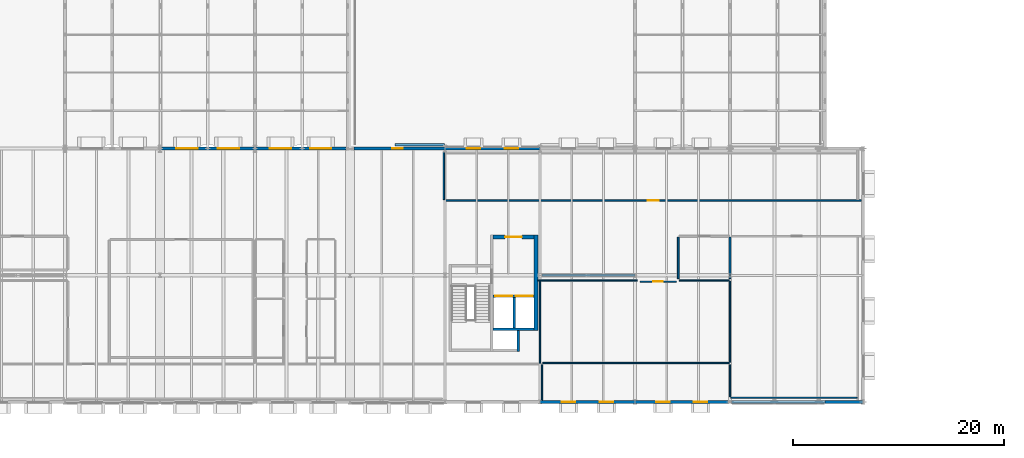
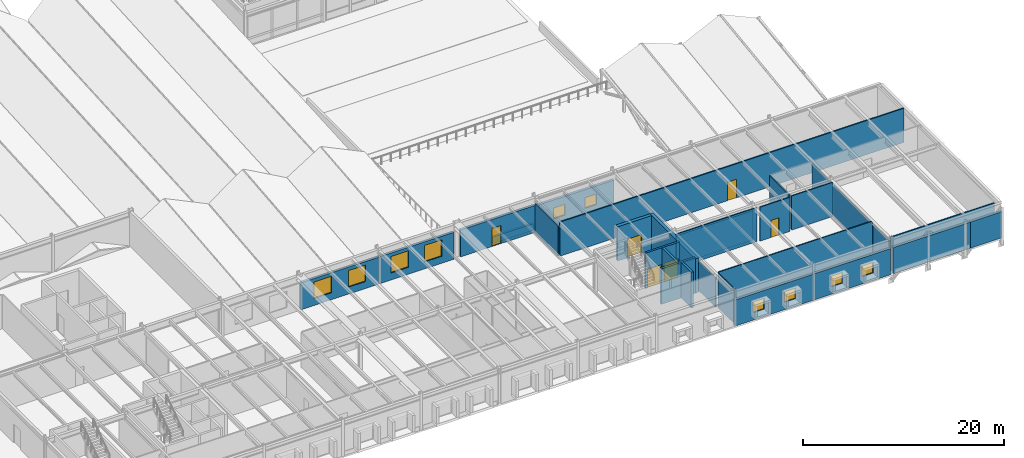
# One storey, part 133 of 142: 29 walls, 10 windows, 6 doors, 16 openings.
"""IFC4 building model written with IfcOpenShell, lengths in metres."""

import ifcopenshell
import ifcopenshell.guid

model = None  # the IFC model being written
_history = None  # IfcOwnerHistory: only IFC2X3 demands one
_inside = {}  # id of a spatial element -> (the spatial element, [elements in it])
_under = {}  # id of a project, library or spatial element -> (it, [spatial elements below it])
_declared = {}  # id of a project -> (the project, [libraries it declares])
_typed = {}  # id of a type object -> (the type object, [elements of that type])
_made_of = {}  # id of a material, layer set ... -> (it, [elements and type objects made of it])


def new_model(schema):
    """Start an empty IFC model of exactly this schema.

    Asked for "IFC4X3", IfcOpenShell would pick the latest addendum, in which some entities
    have other attributes; the version numbers below select the first issue.
    IFC2X3 requires an IfcOwnerHistory on every rooted entity: one is made here for all.
    """
    global model, _history
    if schema == "IFC4X3":
        model = ifcopenshell.file(schema_version=(4, 3, 0, 0))
    else:
        model = ifcopenshell.file(schema=schema)
    _inside.clear()
    _under.clear()
    _declared.clear()
    _typed.clear()
    _made_of.clear()
    _history = None
    if model.schema == "IFC2X3":
        org = make("IfcOrganization", Name="unknown")
        user = make(
            "IfcPersonAndOrganization",
            ThePerson=make("IfcPerson", FamilyName="unknown"),
            TheOrganization=org,
        )
        app = make(
            "IfcApplication",
            ApplicationDeveloper=org,
            Version="unknown",
            ApplicationFullName="unknown",
            ApplicationIdentifier="unknown",
        )
        _history = make(
            "IfcOwnerHistory",
            OwningUser=user,
            OwningApplication=app,
            ChangeAction="ADDED",
            CreationDate=0,
        )
    return model


def make(cls, **values):
    """One entity of the class cls with the attributes given. An attribute that is None is left unset."""
    return model.create_entity(
        cls, **{name: value for name, value in values.items() if value is not None}
    )


def rooted(cls, **values):
    """An entity with a GlobalId (a new one), such as an element, a storey or a relation."""
    return make(cls, GlobalId=ifcopenshell.guid.new(), OwnerHistory=_history, **values)


def si_unit(unit_type, name, prefix=None):
    """IfcSIUnit, for example si_unit("LENGTHUNIT", "METRE", prefix="MILLI")."""
    return make("IfcSIUnit", UnitType=unit_type, Prefix=prefix, Name=name)


def assignment(units):
    """IfcUnitAssignment: the units of a project."""
    return None if units is None else make("IfcUnitAssignment", Units=units)


def point(xyz):
    """IfcCartesianPoint."""
    return None if xyz is None else make("IfcCartesianPoint", Coordinates=xyz)


def direction(xyz):
    """IfcDirection."""
    return None if xyz is None else make("IfcDirection", DirectionRatios=xyz)


def frame(location, z_axis=None, x_axis=None):
    """IfcAxis2Placement3D, a coordinate frame: its origin and axes. An axis left out is left unset."""
    return make(
        "IfcAxis2Placement3D",
        Location=point(location),
        Axis=direction(z_axis),
        RefDirection=direction(x_axis),
    )


def frame_2d(location, x_axis=None):
    """IfcAxis2Placement2D, a coordinate frame in the plane: its origin and x axis."""
    return make(
        "IfcAxis2Placement2D", Location=point(location), RefDirection=direction(x_axis)
    )


def origin():
    """The frame at (0, 0, 0) with its axes left unset."""
    return frame((0.0, 0.0, 0.0))


def place(relative_to, where):
    """IfcLocalPlacement: puts the frame where relative to a parent placement (None: the world)."""
    return make(
        "IfcLocalPlacement", PlacementRelTo=relative_to, RelativePlacement=where
    )


def context(
    kind, dimensions, precision=None, world=None, true_north=None, identifier=None
):
    """IfcGeometricRepresentationContext, for example the 3D "Model" context."""
    return make(
        "IfcGeometricRepresentationContext",
        ContextIdentifier=identifier,
        ContextType=kind,
        CoordinateSpaceDimension=dimensions,
        Precision=precision,
        WorldCoordinateSystem=world,
        TrueNorth=true_north,
    )


def subcontext(parent, identifier, kind, view, scale=None):
    """IfcGeometricRepresentationSubContext, for example "Body" below "Model"."""
    return make(
        "IfcGeometricRepresentationSubContext",
        ContextIdentifier=identifier,
        ContextType=kind,
        ParentContext=parent,
        TargetScale=scale,
        TargetView=view,
    )


def project(units=None, contexts=None):
    """IfcProject with its units and contexts."""
    return rooted(
        "IfcProject",
        Name="project",
        RepresentationContexts=contexts,
        UnitsInContext=assignment(units),
    )


def spatial(cls, under=None, at=None, **own):
    """A site, building, storey or space (cls), placed at a placement, below another one or the project."""
    s = rooted(cls, ObjectPlacement=at, **own)
    if under is not None:
        _under.setdefault(under.id(), (under, []))[1].append(s)
    return s


def profile(cls, at=None, kind="AREA", **sizes):
    """A parametric profile (cls). Its sizes go by their IFC names, for example OverallWidth=200.0."""
    return make(cls, ProfileType=kind, Position=at, **sizes)


def rectangle(**sizes):
    """IfcRectangleProfileDef."""
    return profile("IfcRectangleProfileDef", **sizes)


def extrude(swept, where, along, depth):
    """IfcExtrudedAreaSolid: the profile swept, set in the frame where, extruded along a direction by depth."""
    return make(
        "IfcExtrudedAreaSolid",
        SweptArea=swept,
        Position=where,
        ExtrudedDirection=direction(along),
        Depth=depth,
    )


def shape(context_of_items, identifier, shape_type, items):
    """IfcShapeRepresentation: the items that make up one representation, for example the "Body"."""
    return make(
        "IfcShapeRepresentation",
        ContextOfItems=context_of_items,
        RepresentationIdentifier=identifier,
        RepresentationType=shape_type,
        Items=items,
    )


def material(Name=None, Category=None):
    """IfcMaterial."""
    return make("IfcMaterial", Name=Name, Category=Category)


def layer(
    of_material, thickness, ventilated=None, Name=None, Category=None, Priority=None
):
    """IfcMaterialLayer: one layer of a wall or slab, of a material (None: an air gap)."""
    return make(
        "IfcMaterialLayer",
        Material=of_material,
        LayerThickness=thickness,
        IsVentilated=ventilated,
        Name=Name,
        Category=Category,
        Priority=Priority,
    )


def layer_set(layers, Name=None):
    """IfcMaterialLayerSet."""
    return make("IfcMaterialLayerSet", MaterialLayers=layers, LayerSetName=Name)


def made_of(thing, what):
    """Note that an element or type object is made of a material, layer set ...; save() writes the relation."""
    if what is not None:
        _made_of.setdefault(what.id(), (what, []))[1].append(thing)
    return thing


def type_object(cls, material=None, **own):
    """A type object (cls), such as IfcWallType, which elements share."""
    return made_of(rooted(cls, **own), material)


def element(
    cls,
    number,
    at=None,
    inside=None,
    cuts=None,
    type_object=None,
    material=None,
    context=None,
    identifier="Body",
    shape_type=None,
    held_by="IfcProductDefinitionShape",
    body=None,
    shapes=None,
    **own,
):
    """One element of the class cls, such as IfcWall. Its Tag is "e" and its number.

    at: its placement. inside: the storey or other place that contains it. cuts: it is an
    opening in that element (IfcRelVoidsElement). A single representation is given by context,
    identifier, shape_type and body (its items); several are given by shapes. held_by: the class
    of the entity that holds the representations. save() writes the other relations.
    """
    e = rooted(cls, Tag="e%d" % number, ObjectPlacement=at, **own)
    if body is not None:
        shapes = [shape(context, identifier, shape_type, body)]
    if shapes is not None:
        e.Representation = make(held_by, Representations=shapes)
    if inside is not None:
        _inside.setdefault(inside.id(), (inside, []))[1].append(e)
    if cuts is not None:
        rooted(
            "IfcRelVoidsElement", RelatingBuildingElement=cuts, RelatedOpeningElement=e
        )
    if type_object is not None:
        _typed.setdefault(type_object.id(), (type_object, []))[1].append(e)
    return made_of(e, material)


def fill(opening, filler):
    """IfcRelFillsElement: the door or window that sits in an opening."""
    return rooted(
        "IfcRelFillsElement",
        RelatingOpeningElement=opening,
        RelatedBuildingElement=filler,
    )


def aggregate(whole, parts):
    """IfcRelAggregates: a whole, such as a stair, and the parts it consists of."""
    return rooted("IfcRelAggregates", RelatingObject=whole, RelatedObjects=parts)


def save(model, path):
    """Write the relations noted so far, then the file.

    IfcRelAggregates (storeys below a building ...), IfcRelContainedInSpatialStructure (elements
    in a storey), IfcRelDefinesByType, IfcRelAssociatesMaterial and IfcRelDeclares: one each for
    every whole, place, type object, material and project.
    """
    for whole, parts in _under.values():
        aggregate(whole, parts)
    for where, things in _inside.values():
        rooted(
            "IfcRelContainedInSpatialStructure",
            RelatedElements=things,
            RelatingStructure=where,
        )
    for kind, things in _typed.values():
        rooted("IfcRelDefinesByType", RelatedObjects=things, RelatingType=kind)
    for what, things in _made_of.values():
        rooted("IfcRelAssociatesMaterial", RelatedObjects=things, RelatingMaterial=what)
    for by, libraries in _declared.values():
        rooted("IfcRelDeclares", RelatingContext=by, RelatedDefinitions=libraries)
    model.write(path)


model = new_model("IFC4")

# Units and contexts
model_context = context("Model", 3, precision=1e-05, world=origin(), true_north=direction((0.0, 1.0)))
body_context = subcontext(model_context, "Body", "Model", "MODEL_VIEW")
ifc_project = project(units=[si_unit("LENGTHUNIT", "METRE"), si_unit("AREAUNIT", "SQUARE_METRE"), si_unit("VOLUMEUNIT", "CUBIC_METRE"), si_unit("PLANEANGLEUNIT", "RADIAN"), si_unit("MASSUNIT", "GRAM", prefix="KILO")], contexts=[model_context])

# Site, building, storey
site_placement = place(None, origin())
site = spatial("IfcSite", under=ifc_project, at=site_placement, CompositionType="ELEMENT")
building_placement = place(site_placement, origin())
building = spatial("IfcBuilding", under=site, at=building_placement, Name="Montelvaro Courts of Justice", CompositionType="ELEMENT")
storey_placement = place(building_placement, frame((0.0, 0.0, 14.39990234375)))
storey = spatial("IfcBuildingStorey", under=building, at=storey_placement, Name="L03", CompositionType="ELEMENT", Elevation=14.39990234375)

# Wall, opening, door
ifc_material_1 = material(Name="Gypsum board on metal stud")
ifc_layer_1 = layer(ifc_material_1, 0.14990234375)
ifc_layer_set_1 = layer_set([ifc_layer_1], Name="Gypsum board on metal stud")
wall_type_1 = type_object("IfcWallType", Name="ChambersPartition_150", PredefinedType="PARTITIONING", material=ifc_layer_set_1)
wall_1_placement = place(storey_placement, frame((147.455078125, 19.10009765625, 0.0), z_axis=(0.0, 0.0, 1.0), x_axis=(-1.0, 0.0, 0.0)))
wall_1 = element("IfcWall", 1, at=wall_1_placement, inside=storey, type_object=wall_type_1, Name="Interior Partition IW-04 (L03)", PredefinedType="PARTITIONING", context=body_context, shape_type="SweptSolid", body=[
    extrude(rectangle(XDim=39.47509765625, YDim=0.14990234375, at=frame_2d((19.737548828125, 0.0))), origin(), (0.0, 0.0, 1.0), 4.14013671875),
])
opening_1_placement = place(wall_1_placement, frame((19.212890625, 0.0, 0.0)))
opening_1 = element("IfcOpeningElement", 2, at=opening_1_placement, cuts=wall_1, Name="Opening D-L03-119", PredefinedType="OPENING", context=body_context, shape_type="SweptSolid", body=[
    extrude(rectangle(XDim=1.050048828125, YDim=2.25, at=frame_2d((0.52490234375, 1.125))), frame((0.0, 0.08984375, 0.0), z_axis=(0.0, -1.0, 0.0), x_axis=(1.0, 0.0, 0.0)), (0.0, 0.0, 1.0), 0.1796875),
])
ifc_material_2 = material(Name="Acoustic oak timber veneer", Category="wood")
door_type_1 = type_object("IfcDoorType", Name="ChamberDoor_105x225", OperationType="NOTDEFINED", PredefinedType="DOOR", material=ifc_material_2)
door_1_placement = place(opening_1_placement, frame((1.050048828125, 0.0, 0.0), z_axis=(0.0, 0.0, 1.0), x_axis=(-1.0, 0.0, 0.0)))
door_1 = element("IfcDoor", 3, at=door_1_placement, inside=storey, type_object=door_type_1, Name="Interior Door D-L03-119 (Administrative Magistrates' Chambers East L03)", OperationType="SINGLE_SWING_LEFT", OverallHeight=2.25, OverallWidth=1.050048828125, PredefinedType="DOOR", context=body_context, shape_type="SweptSolid", body=[
    extrude(rectangle(XDim=1.050048828125, YDim=2.25, at=frame_2d((0.52490234375, 1.125))), frame((0.0, 0.02490234375, 0.0), z_axis=(0.0, -1.0, 0.0), x_axis=(1.0, 0.0, 0.0)), (0.0, 0.0, 1.0), 0.050048828125),
])
fill(opening_1, door_1)

# Walls
wall_2_placement = place(storey_placement, frame((107.89990234375, 19.179931640625, 0.0), z_axis=(0.0, 0.0, 1.0), x_axis=(0.0, 1.0, 0.0)))
element("IfcWall", 4, at=wall_2_placement, inside=storey, type_object=wall_type_1, Name="Interior Partition IW-04 (L03)", PredefinedType="PARTITIONING", context=body_context, shape_type="SweptSolid", body=[
    extrude(rectangle(XDim=4.4970703125, YDim=0.14990234375, at=frame_2d((2.24853515625, 0.0))), origin(), (0.0, 0.0, 1.0), 3.625),
])
wall_3_placement = place(storey_placement, frame((130.10009765625, 11.679931640625, 0.0), z_axis=(0.0, 0.0, 1.0), x_axis=(0.0, 1.0, 0.0)))
element("IfcWall", 5, at=wall_3_placement, inside=storey, type_object=wall_type_1, Name="Interior Partition IW-04 (L03)", PredefinedType="PARTITIONING", context=body_context, shape_type="SweptSolid", body=[
    extrude(rectangle(XDim=3.940185546875, YDim=0.14990234375, at=frame_2d((1.97021484375, 0.0))), origin(), (0.0, 0.0, 1.0), 4.14013671875),
])
wall_4_placement = place(storey_placement, frame((135.0, 15.6201171875, 0.0), z_axis=(0.0, 0.0, 1.0), x_axis=(0.0, -1.0, 0.0)))
element("IfcWall", 6, at=wall_4_placement, inside=storey, type_object=wall_type_1, Name="Interior Partition IW-04 (L03)", PredefinedType="PARTITIONING", context=body_context, shape_type="SweptSolid", body=[
    extrude(rectangle(XDim=3.940185546875, YDim=0.14990234375, at=frame_2d((1.97021484375, 0.0))), origin(), (0.0, 0.0, 1.0), 3.78515625),
])

# Wall, opening, door
ifc_material_3 = material(Name="Concrete C40/50", Category="concrete")
ifc_layer_2 = layer(ifc_material_3, 0.360107421875)
ifc_layer_set_2 = layer_set([ifc_layer_2], Name="Concrete C40/50")
wall_type_2 = type_object("IfcWallType", Name="CoreWall_360", PredefinedType="SHEAR", material=ifc_layer_set_2)
wall_5_placement = place(storey_placement, frame((112.5400390625, 15.6201171875, 0.0), z_axis=(0.0, 0.0, 1.0), x_axis=(1.0, 0.0, 0.0)))
wall_5 = element("IfcWall", 7, at=wall_5_placement, inside=storey, type_object=wall_type_2, Name="Core Shear Wall CW-01 K2-N (L03)", PredefinedType="SHEAR", context=body_context, shape_type="SweptSolid", body=[
    extrude(rectangle(XDim=3.89990234375, YDim=0.360107421875, at=frame_2d((1.949951171875, 0.0))), origin(), (0.0, 0.0, 1.0), 4.16015625),
])
opening_2_placement = place(wall_5_placement, frame((1.14990234375, 0.0, 0.0)))
opening_2 = element("IfcOpeningElement", 8, at=opening_2_placement, cuts=wall_5, Name="Opening DL-L03-K2", PredefinedType="OPENING", context=body_context, shape_type="SweptSolid", body=[
    extrude(rectangle(XDim=1.60009765625, YDim=2.25, at=frame_2d((0.800048828125, 1.125))), frame((0.0, 0.19482421875, 0.0), z_axis=(0.0, -1.0, 0.0), x_axis=(1.0, 0.0, 0.0)), (0.0, 0.0, 1.0), 0.389892578125),
])
ifc_material_4 = material(Name="Galvanised steel S355 security door", Category="steel")
door_type_2 = type_object("IfcDoorType", Name="LobbyFireDoor_160x225", OperationType="DOUBLE_DOOR_SINGLE_SWING", PredefinedType="DOOR", material=ifc_material_4)
door_2_placement = place(opening_2_placement, origin())
door_2 = element("IfcDoor", 9, at=door_2_placement, inside=storey, type_object=door_type_2, Name="Core Lobby Fire Door DL-L03-K2", OperationType="DOUBLE_DOOR_SINGLE_SWING", OverallHeight=2.25, OverallWidth=1.60009765625, PredefinedType="DOOR", context=body_context, shape_type="SweptSolid", body=[
    extrude(rectangle(XDim=1.60009765625, YDim=2.25, at=frame_2d((0.800048828125, 1.125))), frame((0.0, 0.02490234375, 0.0), z_axis=(0.0, -1.0, 0.0), x_axis=(1.0, 0.0, 0.0)), (0.0, 0.0, 1.0), 0.050048828125),
])
fill(opening_2, door_2)

# Wall
wall_6_placement = place(storey_placement, frame((116.6201171875, 6.760009765625, 0.0), z_axis=(0.0, 0.0, 1.0), x_axis=(0.0, 1.0, 0.0)))
element("IfcWall", 10, at=wall_6_placement, inside=storey, type_object=wall_type_2, Name="Core Shear Wall CW-01 K2-E (L03)", PredefinedType="SHEAR", context=body_context, shape_type="SweptSolid", body=[
    extrude(rectangle(XDim=9.0400390625, YDim=0.360107421875, at=frame_2d((4.52001953125, 0.0))), origin(), (0.0, 0.0, 1.0), 4.16015625),
])

# Wall, openings, windows
ifc_material_5 = material(Name="White mineral precast concrete C45/55", Category="concrete")
ifc_layer_3 = layer(ifc_material_5, 0.300048828125)
ifc_layer_set_3 = layer_set([ifc_layer_3], Name="White mineral precast concrete C45/55")
wall_type_3 = type_object("IfcWallType", Name="ExtWall_GFRC_300", PredefinedType="SOLIDWALL", material=ifc_layer_set_3)
wall_7_placement = place(storey_placement, frame((98.626953125, 24.0, 0.0), z_axis=(0.0, 0.0, 1.0), x_axis=(-1.0, 0.0, 0.0)))
wall_7 = element("IfcWall", 11, at=wall_7_placement, inside=storey, type_object=wall_type_3, Name="Exterior Facade Wall EW-02 (L03)", PredefinedType="SOLIDWALL", context=body_context, shape_type="SweptSolid", body=[
    extrude(rectangle(XDim=8.618896484375, YDim=0.300048828125, at=frame_2d((4.3095703125, 0.0))), origin(), (0.0, 0.0, 1.0), 3.275146484375),
])
opening_3_placement = place(wall_7_placement, frame((1.4130859375, 0.0, 0.85009765625)))
opening_3 = element("IfcOpeningElement", 12, at=opening_3_placement, cuts=wall_7, Name="Opening WE-11", PredefinedType="OPENING", context=body_context, shape_type="SweptSolid", body=[
    extrude(rectangle(XDim=2.0, YDim=2.0, at=frame_2d((1.0, 1.0))), frame((0.0, 0.1650390625, 0.0), z_axis=(0.0, -1.0, 0.0), x_axis=(1.0, 0.0, 0.0)), (0.0, 0.0, 1.0), 0.329833984375),
])
opening_4_placement = place(wall_7_placement, frame((5.2060546875, 0.0, 0.85009765625)))
opening_4 = element("IfcOpeningElement", 13, at=opening_4_placement, cuts=wall_7, Name="Opening WE-11", PredefinedType="OPENING", context=body_context, shape_type="SweptSolid", body=[
    extrude(rectangle(XDim=2.0, YDim=2.0, at=frame_2d((1.0, 1.0))), frame((0.0, 0.1650390625, 0.0), z_axis=(0.0, -1.0, 0.0), x_axis=(1.0, 0.0, 0.0)), (0.0, 0.0, 1.0), 0.329833984375),
])
ifc_material_6 = material(Name="Low-E solar control double glazing", Category="glass")
window_type_1 = type_object("IfcWindowType", Name="Win_Sq_200x200", PartitioningType="SINGLE_PANEL", PredefinedType="WINDOW", material=ifc_material_6)
window_1_placement = place(opening_3_placement, origin())
window_1 = element("IfcWindow", 14, at=window_1_placement, inside=storey, type_object=window_type_1, Name="Window W-L03-165", OverallHeight=2.0, OverallWidth=2.0, PartitioningType="SINGLE_PANEL", PredefinedType="WINDOW", context=body_context, shape_type="SweptSolid", body=[
    extrude(rectangle(XDim=2.0, YDim=2.0, at=frame_2d((1.0, 1.0))), frame((0.0, 0.030029296875, 0.0), z_axis=(0.0, -1.0, 0.0), x_axis=(1.0, 0.0, 0.0)), (0.0, 0.0, 1.0), 0.06005859375),
])
fill(opening_3, window_1)
window_2_placement = place(opening_4_placement, origin())
window_2 = element("IfcWindow", 15, at=window_2_placement, inside=storey, type_object=window_type_1, Name="Window W-L03-166", OverallHeight=2.0, OverallWidth=2.0, PartitioningType="SINGLE_PANEL", PredefinedType="WINDOW", context=body_context, shape_type="SweptSolid", body=[
    extrude(rectangle(XDim=2.0, YDim=2.0, at=frame_2d((1.0, 1.0))), frame((0.0, 0.030029296875, 0.0), z_axis=(0.0, -1.0, 0.0), x_axis=(1.0, 0.0, 0.0)), (0.0, 0.0, 1.0), 0.06005859375),
])
fill(opening_4, window_2)

wall_8_placement = place(storey_placement, frame((89.991943359375, 24.0, 0.0), z_axis=(0.0, 0.0, 1.0), x_axis=(-1.0, 0.0, 0.0)))
wall_8 = element("IfcWall", 16, at=wall_8_placement, inside=storey, type_object=wall_type_3, Name="Exterior Facade Wall EW-02 (L03)", PredefinedType="SOLIDWALL", context=body_context, shape_type="SweptSolid", body=[
    extrude(rectangle(XDim=8.933837890625, YDim=0.300048828125, at=frame_2d((4.466796875, 0.0))), origin(), (0.0, 0.0, 1.0), 3.275146484375),
])
opening_5_placement = place(wall_8_placement, frame((1.501953125, 0.0, 0.85009765625)))
opening_5 = element("IfcOpeningElement", 17, at=opening_5_placement, cuts=wall_8, Name="Opening WE-11", PredefinedType="OPENING", context=body_context, shape_type="SweptSolid", body=[
    extrude(rectangle(XDim=2.0, YDim=2.0, at=frame_2d((1.0, 1.0))), frame((0.0, 0.1650390625, 0.0), z_axis=(0.0, -1.0, 0.0), x_axis=(1.0, 0.0, 0.0)), (0.0, 0.0, 1.0), 0.329833984375),
])
opening_6_placement = place(wall_8_placement, frame((5.431884765625, 0.0, 0.85009765625)))
opening_6 = element("IfcOpeningElement", 18, at=opening_6_placement, cuts=wall_8, Name="Opening WE-11", PredefinedType="OPENING", context=body_context, shape_type="SweptSolid", body=[
    extrude(rectangle(XDim=2.0, YDim=2.0, at=frame_2d((1.0, 1.0))), frame((0.0, 0.1650390625, 0.0), z_axis=(0.0, -1.0, 0.0), x_axis=(1.0, 0.0, 0.0)), (0.0, 0.0, 1.0), 0.329833984375),
])
window_3_placement = place(opening_5_placement, origin())
window_3 = element("IfcWindow", 19, at=window_3_placement, inside=storey, type_object=window_type_1, Name="Window W-L03-167", OverallHeight=2.0, OverallWidth=2.0, PartitioningType="SINGLE_PANEL", PredefinedType="WINDOW", context=body_context, shape_type="SweptSolid", body=[
    extrude(rectangle(XDim=2.0, YDim=2.0, at=frame_2d((1.0, 1.0))), frame((0.0, 0.030029296875, 0.0), z_axis=(0.0, -1.0, 0.0), x_axis=(1.0, 0.0, 0.0)), (0.0, 0.0, 1.0), 0.06005859375),
])
fill(opening_5, window_3)
window_4_placement = place(opening_6_placement, origin())
window_4 = element("IfcWindow", 20, at=window_4_placement, inside=storey, type_object=window_type_1, Name="Window W-L03-168", OverallHeight=2.0, OverallWidth=2.0, PartitioningType="SINGLE_PANEL", PredefinedType="WINDOW", context=body_context, shape_type="SweptSolid", body=[
    extrude(rectangle(XDim=2.0, YDim=2.0, at=frame_2d((1.0, 1.0))), frame((0.0, 0.030029296875, 0.0), z_axis=(0.0, -1.0, 0.0), x_axis=(1.0, 0.0, 0.0)), (0.0, 0.0, 1.0), 0.06005859375),
])
fill(opening_6, window_4)

wall_9_placement = place(storey_placement, frame((117.008056640625, 0.0, 0.0), z_axis=(0.0, 0.0, 1.0), x_axis=(1.0, 0.0, 0.0)))
wall_9 = element("IfcWall", 21, at=wall_9_placement, inside=storey, type_object=wall_type_3, Name="Exterior Facade Wall EW-02 (L03)", PredefinedType="SOLIDWALL", context=body_context, shape_type="SweptSolid", body=[
    extrude(rectangle(XDim=8.98388671875, YDim=0.300048828125, at=frame_2d((4.491943359375, 0.0))), origin(), (0.0, 0.0, 1.0), 3.1669921875),
])
opening_7_placement = place(wall_9_placement, frame((2.044921875, 0.0, 0.89990234375)))
opening_7 = element("IfcOpeningElement", 22, at=opening_7_placement, cuts=wall_9, Name="Opening WE-18", PredefinedType="OPENING", context=body_context, shape_type="SweptSolid", body=[
    extrude(rectangle(XDim=1.300048828125, YDim=1.300048828125, at=frame_2d((0.64990234375, 0.64990234375))), frame((0.0, 0.1650390625, 0.0), z_axis=(0.0, -1.0, 0.0), x_axis=(1.0, 0.0, 0.0)), (0.0, 0.0, 1.0), 0.329833984375),
])
opening_8_placement = place(wall_9_placement, frame((5.638916015625, 0.0, 0.89990234375)))
opening_8 = element("IfcOpeningElement", 23, at=opening_8_placement, cuts=wall_9, Name="Opening WE-18", PredefinedType="OPENING", context=body_context, shape_type="SweptSolid", body=[
    extrude(rectangle(XDim=1.300048828125, YDim=1.300048828125, at=frame_2d((0.64990234375, 0.64990234375))), frame((0.0, 0.1650390625, 0.0), z_axis=(0.0, -1.0, 0.0), x_axis=(1.0, 0.0, 0.0)), (0.0, 0.0, 1.0), 0.329833984375),
])
window_type_2 = type_object("IfcWindowType", Name="Win_Sq_130x130", PartitioningType="SINGLE_PANEL", PredefinedType="WINDOW", material=ifc_material_6)
window_5_placement = place(opening_7_placement, origin())
window_5 = element("IfcWindow", 24, at=window_5_placement, inside=storey, type_object=window_type_2, Name="Window W-L03-173", OverallHeight=1.300048828125, OverallWidth=1.300048828125, PartitioningType="SINGLE_PANEL", PredefinedType="WINDOW", context=body_context, shape_type="SweptSolid", body=[
    extrude(rectangle(XDim=1.300048828125, YDim=1.300048828125, at=frame_2d((0.64990234375, 0.64990234375))), frame((0.0, 0.030029296875, 0.0), z_axis=(0.0, -1.0, 0.0), x_axis=(1.0, 0.0, 0.0)), (0.0, 0.0, 1.0), 0.06005859375),
])
fill(opening_7, window_5)
window_6_placement = place(opening_8_placement, origin())
window_6 = element("IfcWindow", 25, at=window_6_placement, inside=storey, type_object=window_type_2, Name="Window W-L03-174", OverallHeight=1.300048828125, OverallWidth=1.300048828125, PartitioningType="SINGLE_PANEL", PredefinedType="WINDOW", context=body_context, shape_type="SweptSolid", body=[
    extrude(rectangle(XDim=1.300048828125, YDim=1.300048828125, at=frame_2d((0.64990234375, 0.64990234375))), frame((0.0, 0.030029296875, 0.0), z_axis=(0.0, -1.0, 0.0), x_axis=(1.0, 0.0, 0.0)), (0.0, 0.0, 1.0), 0.06005859375),
])
fill(opening_8, window_6)

wall_10_placement = place(storey_placement, frame((126.008056640625, 0.0, 0.0), z_axis=(0.0, 0.0, 1.0), x_axis=(1.0, 0.0, 0.0)))
wall_10 = element("IfcWall", 26, at=wall_10_placement, inside=storey, type_object=wall_type_3, Name="Exterior Facade Wall EW-02 (L03)", PredefinedType="SOLIDWALL", context=body_context, shape_type="SweptSolid", body=[
    extrude(rectangle(XDim=8.843994140625, YDim=0.300048828125, at=frame_2d((4.421875, 0.0))), origin(), (0.0, 0.0, 1.0), 3.1669921875),
])
opening_9_placement = place(wall_10_placement, frame((2.0029296875, 0.0, 0.89990234375)))
opening_9 = element("IfcOpeningElement", 27, at=opening_9_placement, cuts=wall_10, Name="Opening WE-18", PredefinedType="OPENING", context=body_context, shape_type="SweptSolid", body=[
    extrude(rectangle(XDim=1.300048828125, YDim=1.300048828125, at=frame_2d((0.64990234375, 0.64990234375))), frame((0.0, 0.1650390625, 0.0), z_axis=(0.0, -1.0, 0.0), x_axis=(1.0, 0.0, 0.0)), (0.0, 0.0, 1.0), 0.329833984375),
])
opening_10_placement = place(wall_10_placement, frame((5.541015625, 0.0, 0.89990234375)))
opening_10 = element("IfcOpeningElement", 28, at=opening_10_placement, cuts=wall_10, Name="Opening WE-18", PredefinedType="OPENING", context=body_context, shape_type="SweptSolid", body=[
    extrude(rectangle(XDim=1.300048828125, YDim=1.300048828125, at=frame_2d((0.64990234375, 0.64990234375))), frame((0.0, 0.1650390625, 0.0), z_axis=(0.0, -1.0, 0.0), x_axis=(1.0, 0.0, 0.0)), (0.0, 0.0, 1.0), 0.329833984375),
])
window_7_placement = place(opening_9_placement, origin())
window_7 = element("IfcWindow", 29, at=window_7_placement, inside=storey, type_object=window_type_2, Name="Window W-L03-175", OverallHeight=1.300048828125, OverallWidth=1.300048828125, PartitioningType="SINGLE_PANEL", PredefinedType="WINDOW", context=body_context, shape_type="SweptSolid", body=[
    extrude(rectangle(XDim=1.300048828125, YDim=1.300048828125, at=frame_2d((0.64990234375, 0.64990234375))), frame((0.0, 0.030029296875, 0.0), z_axis=(0.0, -1.0, 0.0), x_axis=(1.0, 0.0, 0.0)), (0.0, 0.0, 1.0), 0.06005859375),
])
fill(opening_9, window_7)
window_8_placement = place(opening_10_placement, origin())
window_8 = element("IfcWindow", 30, at=window_8_placement, inside=storey, type_object=window_type_2, Name="Window W-L03-176", OverallHeight=1.300048828125, OverallWidth=1.300048828125, PartitioningType="SINGLE_PANEL", PredefinedType="WINDOW", context=body_context, shape_type="SweptSolid", body=[
    extrude(rectangle(XDim=1.300048828125, YDim=1.300048828125, at=frame_2d((0.64990234375, 0.64990234375))), frame((0.0, 0.030029296875, 0.0), z_axis=(0.0, -1.0, 0.0), x_axis=(1.0, 0.0, 0.0)), (0.0, 0.0, 1.0), 0.06005859375),
])
fill(opening_10, window_8)

# Walls
wall_11_placement = place(storey_placement, frame((135.14794921875, 0.0, 0.0), z_axis=(0.0, 0.0, 1.0), x_axis=(1.0, 0.0, 0.0)))
element("IfcWall", 31, at=wall_11_placement, inside=storey, type_object=wall_type_3, Name="Exterior Facade Wall EW-02 (L03)", PredefinedType="SOLIDWALL", context=body_context, shape_type="SweptSolid", body=[
    extrude(rectangle(XDim=8.862060546875, YDim=0.300048828125, at=frame_2d((4.43115234375, 0.0))), origin(), (0.0, 0.0, 1.0), 3.1669921875),
])
wall_12_placement = place(storey_placement, frame((143.989990234375, 0.0, 0.0), z_axis=(0.0, 0.0, 1.0), x_axis=(1.0, 0.0, 0.0)))
element("IfcWall", 32, at=wall_12_placement, inside=storey, type_object=wall_type_3, Name="Exterior Facade Wall EW-02 (L03)", PredefinedType="SOLIDWALL", context=body_context, shape_type="SweptSolid", body=[
    extrude(rectangle(XDim=3.64990234375, YDim=0.300048828125, at=frame_2d((1.824951171875, 0.0))), origin(), (0.0, 0.0, 1.0), 3.1669921875),
])

# Wall, openings, windows
wall_13_placement = place(storey_placement, frame((116.991943359375, 24.0, 0.0), z_axis=(0.0, 0.0, 1.0), x_axis=(-1.0, 0.0, 0.0)))
wall_13 = element("IfcWall", 33, at=wall_13_placement, inside=storey, type_object=wall_type_3, Name="Exterior Facade Wall EW-02 (L03)", PredefinedType="SOLIDWALL", context=body_context, shape_type="SweptSolid", body=[
    extrude(rectangle(XDim=8.98388671875, YDim=0.300048828125, at=frame_2d((4.491943359375, 0.0))), origin(), (0.0, 0.0, 1.0), 3.1669921875),
])
opening_11_placement = place(wall_13_placement, frame((2.044921875, 0.0, 0.89990234375)))
opening_11 = element("IfcOpeningElement", 34, at=opening_11_placement, cuts=wall_13, Name="Opening WE-18", PredefinedType="OPENING", context=body_context, shape_type="SweptSolid", body=[
    extrude(rectangle(XDim=1.300048828125, YDim=1.300048828125, at=frame_2d((0.64990234375, 0.64990234375))), frame((0.0, 0.1650390625, 0.0), z_axis=(0.0, -1.0, 0.0), x_axis=(1.0, 0.0, 0.0)), (0.0, 0.0, 1.0), 0.329833984375),
])
opening_12_placement = place(wall_13_placement, frame((5.638916015625, 0.0, 0.89990234375)))
opening_12 = element("IfcOpeningElement", 35, at=opening_12_placement, cuts=wall_13, Name="Opening WE-18", PredefinedType="OPENING", context=body_context, shape_type="SweptSolid", body=[
    extrude(rectangle(XDim=1.300048828125, YDim=1.300048828125, at=frame_2d((0.64990234375, 0.64990234375))), frame((0.0, 0.1650390625, 0.0), z_axis=(0.0, -1.0, 0.0), x_axis=(1.0, 0.0, 0.0)), (0.0, 0.0, 1.0), 0.329833984375),
])
window_9_placement = place(opening_11_placement, origin())
window_9 = element("IfcWindow", 36, at=window_9_placement, inside=storey, type_object=window_type_2, Name="Window W-L03-185", OverallHeight=1.300048828125, OverallWidth=1.300048828125, PartitioningType="SINGLE_PANEL", PredefinedType="WINDOW", context=body_context, shape_type="SweptSolid", body=[
    extrude(rectangle(XDim=1.300048828125, YDim=1.300048828125, at=frame_2d((0.64990234375, 0.64990234375))), frame((0.0, 0.030029296875, 0.0), z_axis=(0.0, -1.0, 0.0), x_axis=(1.0, 0.0, 0.0)), (0.0, 0.0, 1.0), 0.06005859375),
])
fill(opening_11, window_9)
window_10_placement = place(opening_12_placement, origin())
window_10 = element("IfcWindow", 37, at=window_10_placement, inside=storey, type_object=window_type_2, Name="Window W-L03-186", OverallHeight=1.300048828125, OverallWidth=1.300048828125, PartitioningType="SINGLE_PANEL", PredefinedType="WINDOW", context=body_context, shape_type="SweptSolid", body=[
    extrude(rectangle(XDim=1.300048828125, YDim=1.300048828125, at=frame_2d((0.64990234375, 0.64990234375))), frame((0.0, 0.030029296875, 0.0), z_axis=(0.0, -1.0, 0.0), x_axis=(1.0, 0.0, 0.0)), (0.0, 0.0, 1.0), 0.06005859375),
])
fill(opening_12, window_10)

# Wall, opening, door
wall_14_placement = place(storey_placement, frame((107.991943359375, 24.0, 0.0), z_axis=(0.0, 0.0, 1.0), x_axis=(-1.0, 0.0, 0.0)))
wall_14 = element("IfcWall", 38, at=wall_14_placement, inside=storey, type_object=wall_type_3, Name="Exterior Facade Wall EW-02 (L03)", PredefinedType="SOLIDWALL", context=body_context, shape_type="SweptSolid", body=[
    extrude(rectangle(XDim=8.618896484375, YDim=0.300048828125, at=frame_2d((4.3095703125, 0.0))), origin(), (0.0, 0.0, 1.0), 3.275146484375),
])
opening_13_placement = place(wall_14_placement, frame((3.991943359375, 0.0, 0.0)))
opening_13 = element("IfcOpeningElement", 39, at=opening_13_placement, cuts=wall_14, Name="Opening DT-L03-02", PredefinedType="OPENING", context=body_context, shape_type="SweptSolid", body=[
    extrude(rectangle(XDim=1.0, YDim=2.199951171875, at=frame_2d((0.5, 1.10009765625))), frame((0.0, 0.1650390625, 0.0), z_axis=(0.0, -1.0, 0.0), x_axis=(1.0, 0.0, 0.0)), (0.0, 0.0, 1.0), 0.329833984375),
])
ifc_material_7 = material(Name="Anodised aluminium and laminated safety glass", Category="aluminium")
door_type_3 = type_object("IfcDoorType", Name="ExtDoor_Ter_100x220", OperationType="NOTDEFINED", PredefinedType="DOOR", material=ifc_material_7)
door_3_placement = place(opening_13_placement, frame((1.0, 0.0, 0.0), z_axis=(0.0, 0.0, 1.0), x_axis=(-1.0, 0.0, 0.0)))
door_3 = element("IfcDoor", 40, at=door_3_placement, inside=storey, type_object=door_type_3, Name="Terrace Access Door DT-L03-02", OperationType="SINGLE_SWING_LEFT", OverallHeight=2.199951171875, OverallWidth=1.0, PredefinedType="DOOR", context=body_context, shape_type="SweptSolid", body=[
    extrude(rectangle(XDim=1.0, YDim=2.199951171875, at=frame_2d((0.5, 1.10009765625))), frame((0.0, 0.02490234375, 0.0), z_axis=(0.0, -1.0, 0.0), x_axis=(1.0, 0.0, 0.0)), (0.0, 0.0, 1.0), 0.050048828125),
])
fill(opening_13, door_3)

# Walls
ifc_layer_4 = layer(ifc_material_1, 0.1201171875)
ifc_layer_set_4 = layer_set([ifc_layer_4], Name="Gypsum board on metal stud")
wall_type_4 = type_object("IfcWallType", Name="OfficePartition_120", PredefinedType="PARTITIONING", material=ifc_layer_set_4)
wall_15_placement = place(storey_placement, frame((117.199951171875, 3.52001953125, 0.0), z_axis=(0.0, 0.0, 1.0), x_axis=(0.0, -1.0, 0.0)))
element("IfcWall", 41, at=wall_15_placement, inside=storey, type_object=wall_type_4, Name="Interior Partition IW-05 (L03)", PredefinedType="PARTITIONING", context=body_context, shape_type="SweptSolid", body=[
    extrude(rectangle(XDim=3.342041015625, YDim=0.1201171875, at=frame_2d((1.6708984375, 0.0))), origin(), (0.0, 0.0, 1.0), 4.14013671875),
])
wall_16_placement = place(storey_placement, frame((130.179931640625, 11.5, 0.0), z_axis=(0.0, 0.0, 1.0), x_axis=(1.0, 0.0, 0.0)))
element("IfcWall", 42, at=wall_16_placement, inside=storey, type_object=wall_type_4, Name="Interior Partition IW-05 (L03)", PredefinedType="PARTITIONING", context=body_context, shape_type="SweptSolid", body=[
    extrude(rectangle(XDim=4.739990234375, YDim=0.1201171875, at=frame_2d((2.3701171875, 0.0))), origin(), (0.0, 0.0, 1.0), 4.14013671875),
])
wall_17_placement = place(storey_placement, frame((135.0, 11.419921875, 0.0), z_axis=(0.0, 0.0, 1.0), x_axis=(0.0, -1.0, 0.0)))
element("IfcWall", 43, at=wall_17_placement, inside=storey, type_object=wall_type_4, Name="Interior Partition IW-05 (L03)", PredefinedType="PARTITIONING", context=body_context, shape_type="SweptSolid", body=[
    extrude(rectangle(XDim=7.639892578125, YDim=0.1201171875, at=frame_2d((3.81982421875, 0.0))), origin(), (0.0, 0.0, 1.0), 3.78515625),
])
wall_18_placement = place(storey_placement, frame((134.919921875, 3.699951171875, 0.0), z_axis=(0.0, 0.0, 1.0), x_axis=(-1.0, 0.0, 0.0)))
element("IfcWall", 44, at=wall_18_placement, inside=storey, type_object=wall_type_4, Name="Interior Partition IW-05 (L03)", PredefinedType="PARTITIONING", context=body_context, shape_type="SweptSolid", body=[
    extrude(rectangle(XDim=17.639892578125, YDim=0.1201171875, at=frame_2d((8.81982421875, 0.0))), origin(), (0.0, 0.0, 1.0), 4.14013671875),
])
wall_19_placement = place(storey_placement, frame((117.0, 3.655029296875, 0.0), z_axis=(0.0, 0.0, 1.0), x_axis=(0.0, 1.0, 0.0)))
element("IfcWall", 45, at=wall_19_placement, inside=storey, type_object=wall_type_4, Name="Interior Partition IW-05 (L03)", PredefinedType="PARTITIONING", context=body_context, shape_type="SweptSolid", body=[
    extrude(rectangle(XDim=7.764892578125, YDim=0.1201171875, at=frame_2d((3.88232421875, 0.0))), origin(), (0.0, 0.0, 1.0), 3.5751953125),
])
wall_20_placement = place(storey_placement, frame((116.794921875, 11.5, 0.0), z_axis=(0.0, 0.0, 1.0), x_axis=(1.0, 0.0, 0.0)))
element("IfcWall", 46, at=wall_20_placement, inside=storey, type_object=wall_type_4, Name="Interior Partition IW-05 (L03)", PredefinedType="PARTITIONING", context=body_context, shape_type="SweptSolid", body=[
    extrude(rectangle(XDim=9.425048828125, YDim=0.1201171875, at=frame_2d((4.71240234375, 0.0))), origin(), (0.0, 0.0, 1.0), 4.14013671875),
])

# Wall, opening, door
wall_21_placement = place(storey_placement, frame((126.47998046875, 11.39990234375, 0.0), z_axis=(0.0, 0.0, 1.0), x_axis=(1.0, 0.0, 0.0)))
wall_21 = element("IfcWall", 47, at=wall_21_placement, inside=storey, type_object=wall_type_4, Name="Interior Partition IW-05 (L03)", PredefinedType="PARTITIONING", context=body_context, shape_type="SweptSolid", body=[
    extrude(rectangle(XDim=3.43994140625, YDim=0.1201171875, at=frame_2d((1.719970703125, 0.0))), origin(), (0.0, 0.0, 1.0), 4.14013671875),
])
opening_14_placement = place(wall_21_placement, frame((1.27001953125, 0.0, 0.0)))
opening_14 = element("IfcOpeningElement", 48, at=opening_14_placement, cuts=wall_21, Name="Opening D-L03-120", PredefinedType="OPENING", context=body_context, shape_type="SweptSolid", body=[
    extrude(rectangle(XDim=0.89990234375, YDim=2.10009765625, at=frame_2d((0.449951171875, 1.050048828125))), frame((0.0, 0.074951171875, 0.0), z_axis=(0.0, -1.0, 0.0), x_axis=(1.0, 0.0, 0.0)), (0.0, 0.0, 1.0), 0.14990234375),
])
door_type_4 = type_object("IfcDoorType", Name="OfficeDoor_090x210", OperationType="NOTDEFINED", PredefinedType="DOOR", material=ifc_material_2)
door_4_placement = place(opening_14_placement, origin())
door_4 = element("IfcDoor", 49, at=door_4_placement, inside=storey, type_object=door_type_4, Name="Interior Door D-L03-120 (Juvenile Psychosocial Clinic L03)", OperationType="SINGLE_SWING_RIGHT", OverallHeight=2.10009765625, OverallWidth=0.89990234375, PredefinedType="DOOR", context=body_context, shape_type="SweptSolid", body=[
    extrude(rectangle(XDim=0.89990234375, YDim=2.10009765625, at=frame_2d((0.449951171875, 1.050048828125))), frame((0.0, 0.02490234375, 0.0), z_axis=(0.0, -1.0, 0.0), x_axis=(1.0, 0.0, 0.0)), (0.0, 0.0, 1.0), 0.050048828125),
])
fill(opening_14, door_4)

# Walls
wall_22_placement = place(storey_placement, frame((147.044921875, 0.39990234375, 0.0), z_axis=(0.0, 0.0, 1.0), x_axis=(-1.0, 0.0, 0.0)))
element("IfcWall", 50, at=wall_22_placement, inside=storey, type_object=wall_type_4, Name="Interior Partition IW-05 (L03)", PredefinedType="PARTITIONING", context=body_context, shape_type="SweptSolid", body=[
    extrude(rectangle(XDim=11.96484375, YDim=0.1201171875, at=frame_2d((5.982421875, 0.0))), origin(), (0.0, 0.0, 1.0), 4.14013671875),
])
wall_23_placement = place(storey_placement, frame((135.0, 0.47998046875, 0.0), z_axis=(0.0, 0.0, 1.0), x_axis=(0.0, 1.0, 0.0)))
element("IfcWall", 51, at=wall_23_placement, inside=storey, type_object=wall_type_4, Name="Interior Partition IW-05 (L03)", PredefinedType="PARTITIONING", context=body_context, shape_type="SweptSolid", body=[
    extrude(rectangle(XDim=3.0400390625, YDim=0.1201171875, at=frame_2d((1.52001953125, 0.0))), origin(), (0.0, 0.0, 1.0), 3.78515625),
])
ifc_layer_5 = layer(ifc_material_5, 0.239990234375)
ifc_layer_set_5 = layer_set([ifc_layer_5], Name="White mineral precast concrete C45/55")
wall_type_5 = type_object("IfcWallType", Name="ParapetWall_240", PredefinedType="PARAPET", material=ifc_layer_set_5)
wall_24_placement = place(storey_placement, frame((103.260009765625, 24.360107421875, 0.0), z_axis=(0.0, 0.0, 1.0), x_axis=(1.0, 0.0, 0.0)))
element("IfcWall", 52, at=wall_24_placement, inside=storey, type_object=wall_type_5, Name="Roof Parapet PW-01 L03-079", PredefinedType="PARAPET", context=body_context, shape_type="SweptSolid", body=[
    extrude(rectangle(XDim=4.679931640625, YDim=0.239990234375, at=frame_2d((2.33984375, 0.0))), origin(), (0.0, 0.0, 1.0), 0.800048828125),
])

# Wall, openings, doors
ifc_material_8 = material(Name="Concrete C35/45", Category="concrete")
ifc_layer_6 = layer(ifc_material_8, 0.239990234375)
ifc_layer_set_6 = layer_set([ifc_layer_6], Name="Concrete C35/45")
wall_type_6 = type_object("IfcWallType", Name="ShaftWall_240", PredefinedType="SHEAR", material=ifc_layer_set_6)
wall_25_placement = place(storey_placement, frame((112.5400390625, 10.02001953125, 0.0), z_axis=(0.0, 0.0, 1.0), x_axis=(1.0, 0.0, 0.0)))
wall_25 = element("IfcWall", 53, at=wall_25_placement, inside=storey, type_object=wall_type_6, Name="Lift Shaft Bank Wall K2 (L03)", PredefinedType="SHEAR", context=body_context, shape_type="SweptSolid", body=[
    extrude(rectangle(XDim=3.89990234375, YDim=0.239990234375, at=frame_2d((1.949951171875, 0.0))), origin(), (0.0, 0.0, 1.0), 4.31005859375),
])
opening_15_placement = place(wall_25_placement, frame((0.235107421875, 0.0, 0.0)))
opening_15 = element("IfcOpeningElement", 54, at=opening_15_placement, cuts=wall_25, Name="Opening LD-LF-02-L03", PredefinedType="OPENING", context=body_context, shape_type="SweptSolid", body=[
    extrude(rectangle(XDim=1.60009765625, YDim=2.300048828125, at=frame_2d((0.800048828125, 1.14990234375))), frame((0.0, 0.134765625, 0.0), z_axis=(0.0, -1.0, 0.0), x_axis=(1.0, 0.0, 0.0)), (0.0, 0.0, 1.0), 0.269775390625),
])
opening_16_placement = place(wall_25_placement, frame((2.18505859375, 0.0, 0.0)))
opening_16 = element("IfcOpeningElement", 55, at=opening_16_placement, cuts=wall_25, Name="Opening LD-LJ-02-L03", PredefinedType="OPENING", context=body_context, shape_type="SweptSolid", body=[
    extrude(rectangle(XDim=1.60009765625, YDim=2.300048828125, at=frame_2d((0.800048828125, 1.14990234375))), frame((0.0, 0.134765625, 0.0), z_axis=(0.0, -1.0, 0.0), x_axis=(1.0, 0.0, 0.0)), (0.0, 0.0, 1.0), 0.269775390625),
])
door_type_5 = type_object("IfcDoorType", Name="LiftDoor_160x230", OperationType="DOUBLE_DOOR_SLIDING", PredefinedType="DOOR", material=ifc_material_4)
door_5_placement = place(opening_15_placement, origin())
door_5 = element("IfcDoor", 56, at=door_5_placement, inside=storey, type_object=door_type_5, Name="Lift Landing Sliding Door LD-LF-02-L03", OperationType="DOUBLE_DOOR_SLIDING", OverallHeight=2.300048828125, OverallWidth=1.60009765625, PredefinedType="DOOR", context=body_context, shape_type="SweptSolid", body=[
    extrude(rectangle(XDim=1.60009765625, YDim=2.300048828125, at=frame_2d((0.800048828125, 1.14990234375))), frame((0.0, 0.02490234375, 0.0), z_axis=(0.0, -1.0, 0.0), x_axis=(1.0, 0.0, 0.0)), (0.0, 0.0, 1.0), 0.050048828125),
])
fill(opening_15, door_5)
door_6_placement = place(opening_16_placement, origin())
door_6 = element("IfcDoor", 57, at=door_6_placement, inside=storey, type_object=door_type_5, Name="Lift Landing Sliding Door LD-LJ-02-L03", OperationType="DOUBLE_DOOR_SLIDING", OverallHeight=2.300048828125, OverallWidth=1.60009765625, PredefinedType="DOOR", context=body_context, shape_type="SweptSolid", body=[
    extrude(rectangle(XDim=1.60009765625, YDim=2.300048828125, at=frame_2d((0.800048828125, 1.14990234375))), frame((0.0, 0.02490234375, 0.0), z_axis=(0.0, -1.0, 0.0), x_axis=(1.0, 0.0, 0.0)), (0.0, 0.0, 1.0), 0.050048828125),
])
fill(opening_16, door_6)

# Walls
wall_26_placement = place(storey_placement, frame((112.5400390625, 6.8798828125, 0.0), z_axis=(0.0, 0.0, 1.0), x_axis=(1.0, 0.0, 0.0)))
element("IfcWall", 58, at=wall_26_placement, inside=storey, type_object=wall_type_6, Name="Lift Shaft Back Wall K2 (L03)", PredefinedType="SHEAR", context=body_context, shape_type="SweptSolid", body=[
    extrude(rectangle(XDim=3.89990234375, YDim=0.239990234375, at=frame_2d((1.949951171875, 0.0))), origin(), (0.0, 0.0, 1.0), 4.31005859375),
])
wall_27_placement = place(storey_placement, frame((114.550048828125, 7.0, 0.0), z_axis=(0.0, 0.0, 1.0), x_axis=(0.0, 1.0, 0.0)))
element("IfcWall", 59, at=wall_27_placement, inside=storey, type_object=wall_type_6, Name="Lift Shaft Divider Wall K2-LFD1 (L03)", PredefinedType="SHEAR", context=body_context, shape_type="SweptSolid", body=[
    extrude(rectangle(XDim=2.89990234375, YDim=0.239990234375, at=frame_2d((1.449951171875, 0.0))), origin(), (0.0, 0.0, 1.0), 4.31005859375),
])
wall_28_placement = place(storey_placement, frame((114.919921875, 4.760009765625, 0.0), z_axis=(0.0, 0.0, 1.0), x_axis=(0.0, 1.0, 0.0)))
element("IfcWall", 60, at=wall_28_placement, inside=storey, type_object=wall_type_6, Name="Service Riser East Shaft Wall K2 (L03)", PredefinedType="SHEAR", context=body_context, shape_type="SweptSolid", body=[
    extrude(rectangle(XDim=2.0, YDim=0.239990234375, at=frame_2d((1.0, 0.0))), origin(), (0.0, 0.0, 1.0), 4.31005859375),
])
wall_29_placement = place(storey_placement, frame((117.197998046875, 12.0, 0.0), z_axis=(0.0, 0.0, 1.0), x_axis=(1.0, 0.0, 0.0)))
element("IfcWall", 61, at=wall_29_placement, inside=storey, type_object=wall_type_6, Name="Enclosed Braced Frame Structural Wall CBF2 (L03)", PredefinedType="SHEAR", context=body_context, shape_type="SweptSolid", body=[
    extrude(rectangle(XDim=8.7939453125, YDim=0.239990234375, at=frame_2d((4.39697265625, 0.0))), origin(), (0.0, 0.0, 1.0), 3.5751953125),
])

save(model, "model.ifc")
